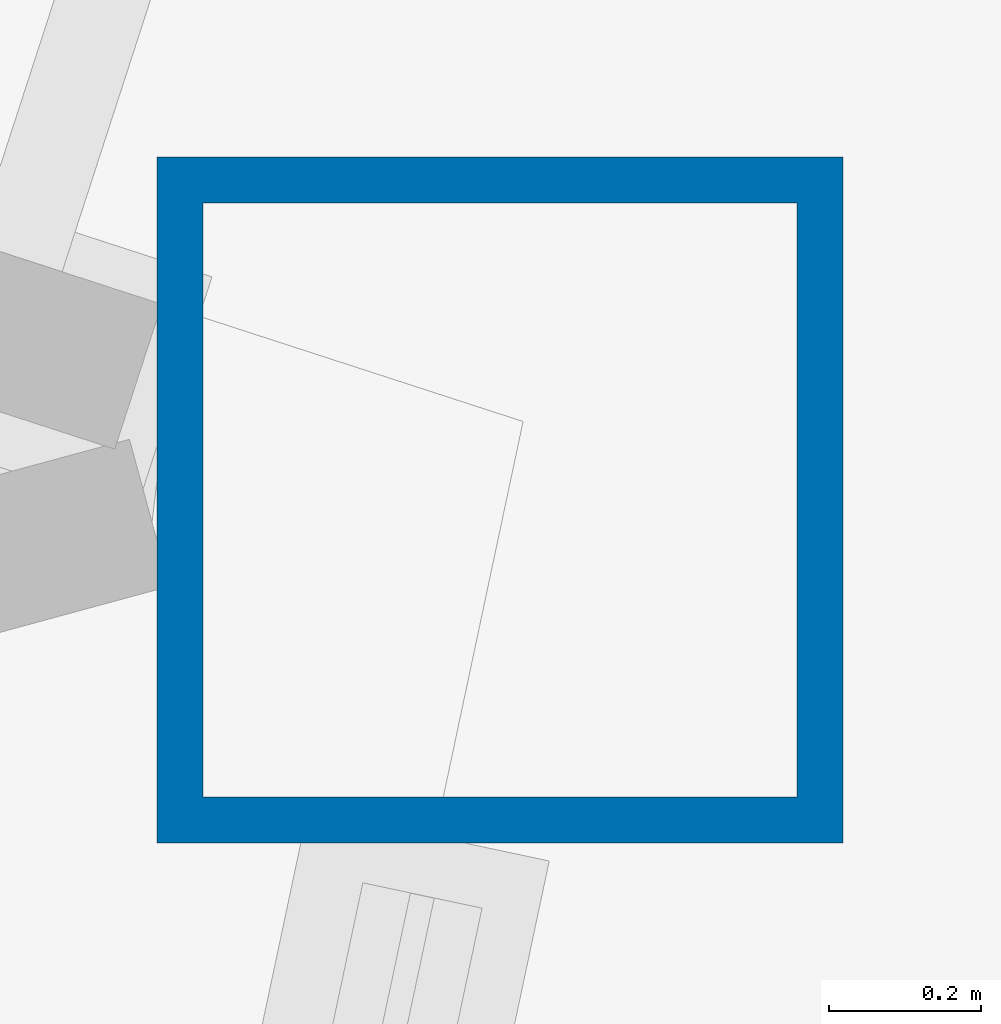
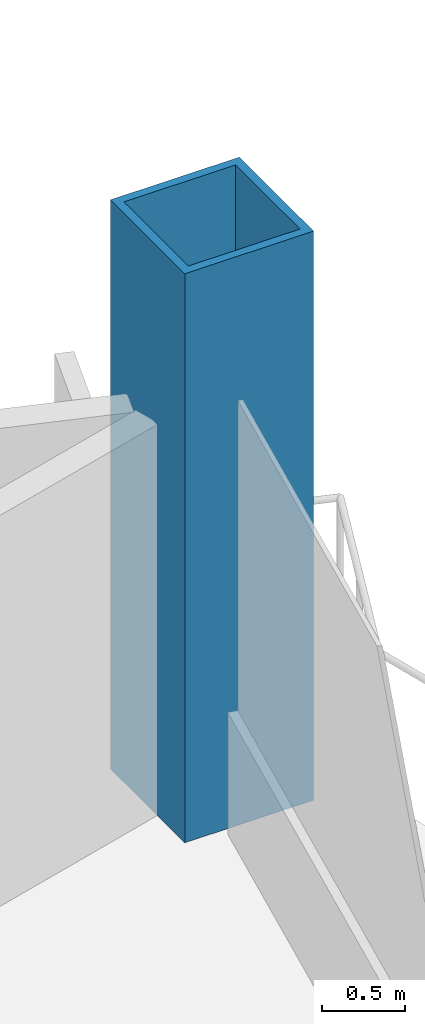
# One storey, part 2 of 21: 1 column.
"""IFC4 building model written with IfcOpenShell, lengths in metres."""

from ifc_helpers import new_model, si_unit, direction, frame, origin, origin_2d, place, context, subcontext, project, spatial, hollow_rectangle, extrude, material, material_profile, profile_set, type_object, element, save


model = new_model("IFC4")

# Units and contexts
model_context = context("Model", 3, precision=1e-05, world=origin(), true_north=direction((0.0, 1.0)))
body_context = subcontext(model_context, "Body", "Model", "MODEL_VIEW")
ifc_project = project(units=[si_unit("LENGTHUNIT", "METRE"), si_unit("AREAUNIT", "SQUARE_METRE"), si_unit("VOLUMEUNIT", "CUBIC_METRE"), si_unit("PLANEANGLEUNIT", "RADIAN"), si_unit("MASSUNIT", "GRAM", prefix="KILO")], contexts=[model_context])

# Site, building, storey
site_placement = place(None, origin())
site = spatial("IfcSite", under=ifc_project, at=site_placement, CompositionType="ELEMENT")
building_placement = place(site_placement, origin())
building = spatial("IfcBuilding", under=site, at=building_placement, Name="Cormorant Prow Tower", CompositionType="ELEMENT")
storey_placement = place(building_placement, frame((0.0, 0.0, 145.800048828125)))
storey = spatial("IfcBuildingStorey", under=building, at=storey_placement, Name="L31", CompositionType="ELEMENT", Elevation=145.800048828125)

# Column
ifc_material = material(Name="Structural steel ASTM A572 Gr 50", Category="steel")
ifc_material_profile = material_profile(ifc_material, hollow_rectangle(XDim=0.89990234375, YDim=0.89990234375, WallThickness=0.06005859375, at=origin_2d()), Name="Box 900x900x60")
ifc_profile_set = profile_set([ifc_material_profile], Name="Structural steel ASTM A572 Gr 50")
column_type = type_object("IfcColumnType", Name="Perimeter box column 900x900x60", PredefinedType="COLUMN", material=ifc_profile_set)
column_placement = place(storey_placement, frame((32.1962890625, -4.967041015625, 0.0), z_axis=(0.0, 0.0, 1.0), x_axis=(1.0, 0.0, 0.0)))
element("IfcColumn", 1, at=column_placement, inside=storey, type_object=column_type, Name="Perimeter column C3 at ENE01 L31", PredefinedType="COLUMN", context=body_context, shape_type="SweptSolid", body=[
    extrude(hollow_rectangle(XDim=0.89990234375, YDim=0.89990234375, WallThickness=0.06005859375, at=origin_2d()), origin(), (0.0, 0.0, 1.0), 4.199951171875),
])

save(model, "model.ifc")
